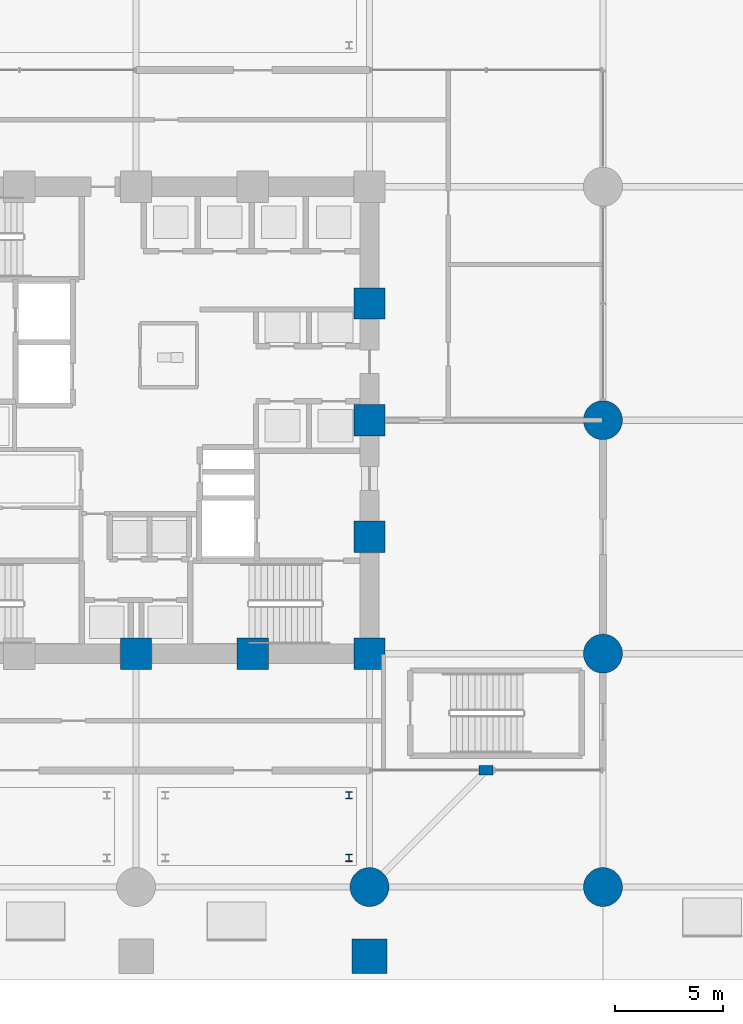
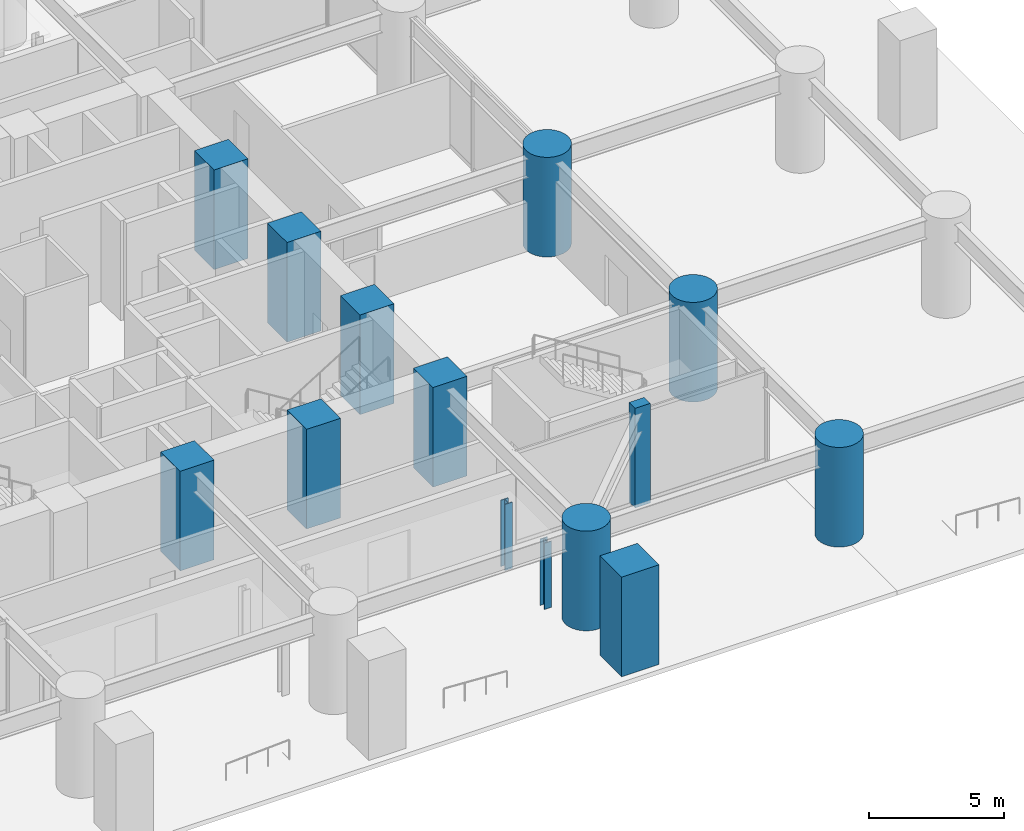
# One storey, part 2 of 29: 14 columns.
"""IFC4 building model written with IfcOpenShell, lengths in metres."""

from ifc_helpers import new_model, si_unit, direction, frame, origin, origin_2d, place, context, subcontext, project, spatial, rectangle, circle, i_section, extrude, material, material_profile, profile_set, type_object, element, save


model = new_model("IFC4")

# Units and contexts
model_context = context("Model", 3, precision=1e-05, world=origin(), true_north=direction((0.0, 1.0)))
body_context = subcontext(model_context, "Body", "Model", "MODEL_VIEW")
ifc_project = project(units=[si_unit("LENGTHUNIT", "METRE"), si_unit("AREAUNIT", "SQUARE_METRE"), si_unit("VOLUMEUNIT", "CUBIC_METRE"), si_unit("PLANEANGLEUNIT", "RADIAN"), si_unit("MASSUNIT", "GRAM", prefix="KILO")], contexts=[model_context])

# Site, building, storey
site_placement = place(None, origin())
site = spatial("IfcSite", under=ifc_project, at=site_placement, CompositionType="ELEMENT")
building_placement = place(site_placement, origin())
building = spatial("IfcBuilding", under=site, at=building_placement, Name="Surkhivell Harbour Commons", CompositionType="ELEMENT")
storey_placement = place(building_placement, origin())
storey = spatial("IfcBuildingStorey", under=building, at=storey_placement, Name="L00", CompositionType="ELEMENT", Elevation=0.0)

# Columns
ifc_material_1 = material(Name="Concrete C80/95", Category="concrete")
ifc_material_profile_1 = material_profile(ifc_material_1, rectangle(XDim=1.449951171875, YDim=1.449951171875, at=origin_2d()), Name="RC-COL-1450x1450")
ifc_profile_set_1 = profile_set([ifc_material_profile_1], Name="Concrete C80/95")
column_type_1 = type_object("IfcColumnType", Name="COL-CORE-1450", PredefinedType="COLUMN", material=ifc_profile_set_1)
for number, where, z_axis, x_axis, name in (
    (1, (0.0, -10.800048828125, 0.0), (0.0, 0.0, 1.0), (1.0, 0.0, 0.0), "L00 Column CC-1 (0.0,-10.8)"),
    (2, (5.39990234375, -10.800048828125, 0.0), (0.0, 0.0, 1.0), (1.0, 0.0, 0.0), "L00 Column CC-1 (5.4,-10.8)"),
    (3, (10.800048828125, -10.800048828125, 0.0), (0.0, 0.0, 1.0), (1.0, 0.0, 0.0), "L00 Column CC-1 (10.8,-10.8)"),
    (4, (10.800048828125, -5.39990234375, 0.0), (0.0, 0.0, 1.0), (1.0, 0.0, 0.0), "L00 Column CC-1 (10.8,-5.4)"),
    (5, (10.800048828125, 0.0, 0.0), (0.0, 0.0, 1.0), (1.0, 0.0, 0.0), "L00 Column CC-1 (10.8,0.0)"),
    (6, (10.800048828125, 5.39990234375, 0.0), (0.0, 0.0, 1.0), (1.0, 0.0, 0.0), "L00 Column CC-1 (10.8,5.4)"),
):
    element("IfcColumn", number, at=place(storey_placement, frame(where, z_axis=z_axis, x_axis=x_axis)), inside=storey, type_object=column_type_1, Name=name, PredefinedType="COLUMN", context=body_context, shape_type="SweptSolid", body=[
        extrude(rectangle(XDim=1.449951171875, YDim=1.449951171875, at=origin_2d()), origin(), (0.0, 0.0, 1.0), 4.5),
    ])
ifc_material_2 = material(Name="Steel S355", Category="steel")
ifc_material_profile_2 = material_profile(ifc_material_2, i_section(OverallWidth=0.31396484375, OverallDepth=0.340087890625, WebThickness=0.01904296875, FlangeThickness=0.031494140625, at=origin_2d()), Name="UC305x305x198")
ifc_profile_set_2 = profile_set([ifc_material_profile_2], Name="Steel S355")
column_type_2 = type_object("IfcColumnType", Name="COL-CRN-UC305", PredefinedType="COLUMN", material=ifc_profile_set_2)
for number, where, z_axis, x_axis, name in (
    (7, (9.85009765625, -20.25, 0.0), (0.0, 0.0, 1.0), (1.0, 0.0, 0.0), "L00 Canopy Support Post CAN-S2-2"),
    (8, (9.85009765625, -17.35009765625, 0.0), (0.0, 0.0, 1.0), (1.0, 0.0, 0.0), "L00 Canopy Support Post CAN-S2-3"),
):
    element("IfcColumn", number, at=place(storey_placement, frame(where, z_axis=z_axis, x_axis=x_axis)), inside=storey, type_object=column_type_2, Name=name, PredefinedType="COLUMN", context=body_context, shape_type="SweptSolid", body=[
        extrude(i_section(OverallWidth=0.31396484375, OverallDepth=0.340087890625, WebThickness=0.01904296875, FlangeThickness=0.031494140625, at=origin_2d()), origin(), (0.0, 0.0, 1.0), 2.989990234375),
    ])
ifc_material_profile_3 = material_profile(ifc_material_1, rectangle(XDim=1.60009765625, YDim=1.60009765625, at=origin_2d()), Name="RC-COL-1600x1600")
ifc_profile_set_3 = profile_set([ifc_material_profile_3], Name="Concrete C80/95")
column_type_3 = type_object("IfcColumnType", Name="COL-MEGA-1600", PredefinedType="COLUMN", material=ifc_profile_set_3)
column_1_placement = place(storey_placement, frame((10.800048828125, -24.800048828125, 0.0), z_axis=(0.0, 0.0, 1.0), x_axis=(1.0, 0.0, 0.0)))
element("IfcColumn", 9, at=column_1_placement, inside=storey, type_object=column_type_3, Name="L00 Column CM-1 (10.8,-24.8)", PredefinedType="COLUMN", context=body_context, shape_type="SweptSolid", body=[
    extrude(rectangle(XDim=1.60009765625, YDim=1.60009765625, at=origin_2d()), origin(), (0.0, 0.0, 1.0), 4.5),
])
ifc_material_3 = material(Name="Concrete C50/60", Category="concrete")
ifc_material_profile_4 = material_profile(ifc_material_3, rectangle(XDim=0.64990234375, YDim=0.449951171875, at=origin_2d()), Name="RC-PIL-650x450")
ifc_profile_set_4 = profile_set([ifc_material_profile_4], Name="Concrete C50/60")
column_type_4 = type_object("IfcColumnType", Name="COL-PIL-650", PredefinedType="PILASTER", material=ifc_profile_set_4)
column_2_placement = place(storey_placement, frame((16.199951171875, -16.199951171875, 0.0), z_axis=(0.0, 0.0, 1.0), x_axis=(1.0, 0.0, 0.0)))
element("IfcColumn", 10, at=column_2_placement, inside=storey, type_object=column_type_4, Name="L00 Brick-Clad Entrance Pilaster 2", PredefinedType="PILASTER", context=body_context, shape_type="SweptSolid", body=[
    extrude(rectangle(XDim=0.64990234375, YDim=0.449951171875, at=origin_2d()), origin(), (0.0, 0.0, 1.0), 4.5),
])
ifc_material_profile_5 = material_profile(ifc_material_1, circle(Radius=0.89990234375, at=origin_2d()), Name="RC-CIRC-1800")
ifc_profile_set_5 = profile_set([ifc_material_profile_5], Name="Concrete C80/95")
column_type_5 = type_object("IfcColumnType", Name="COL-STILT-1800", PredefinedType="COLUMN", material=ifc_profile_set_5)
for number, where, z_axis, x_axis, name in (
    (11, (10.800048828125, -21.60009765625, 0.0), (0.0, 0.0, 1.0), (1.0, 0.0, 0.0), "L00 Column CS-1 (10.8,-21.6)"),
    (12, (21.60009765625, -21.60009765625, 0.0), (0.0, 0.0, 1.0), (1.0, 0.0, 0.0), "L00 Column CS-1 (21.6,-21.6)"),
    (13, (21.60009765625, -10.800048828125, 0.0), (0.0, 0.0, 1.0), (1.0, 0.0, 0.0), "L00 Column CS-1 (21.6,-10.8)"),
    (14, (21.60009765625, 0.0, 0.0), (0.0, 0.0, 1.0), (1.0, 0.0, 0.0), "L00 Column CS-1 (21.6,0.0)"),
):
    element("IfcColumn", number, at=place(storey_placement, frame(where, z_axis=z_axis, x_axis=x_axis)), inside=storey, type_object=column_type_5, Name=name, PredefinedType="COLUMN", context=body_context, shape_type="SweptSolid", body=[
        extrude(circle(Radius=0.89990234375, at=origin_2d()), origin(), (0.0, 0.0, 1.0), 4.5),
    ])

save(model, "model.ifc")
